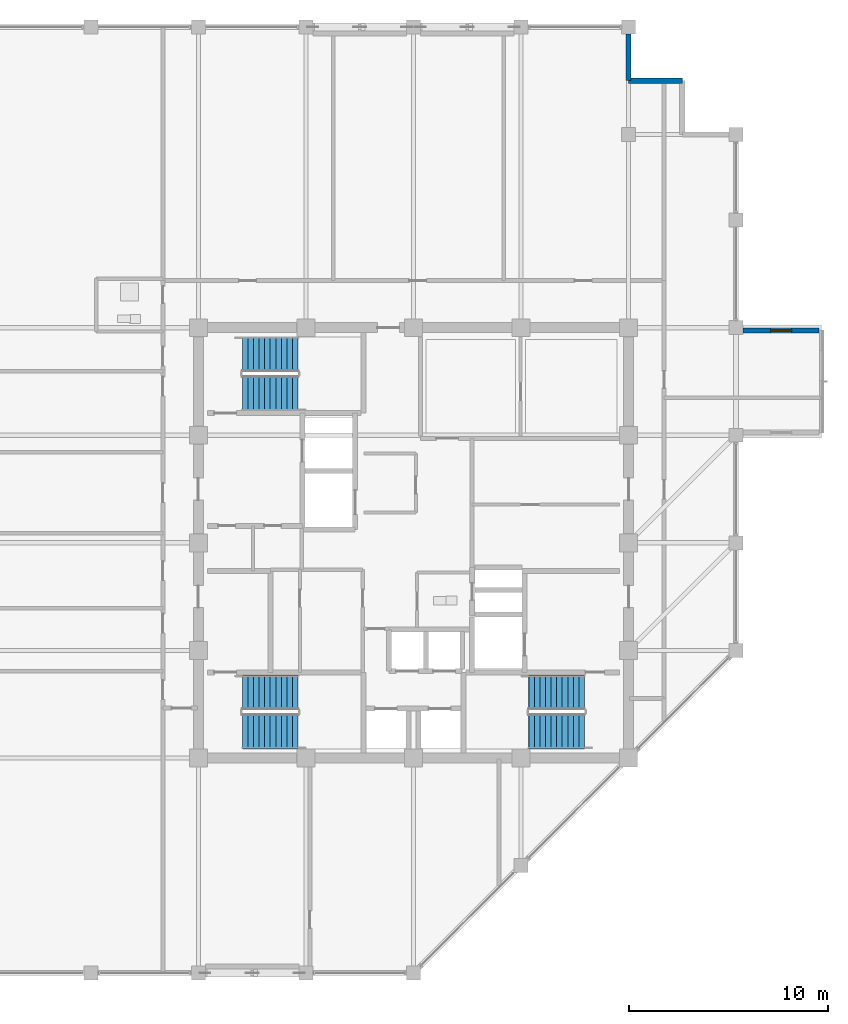
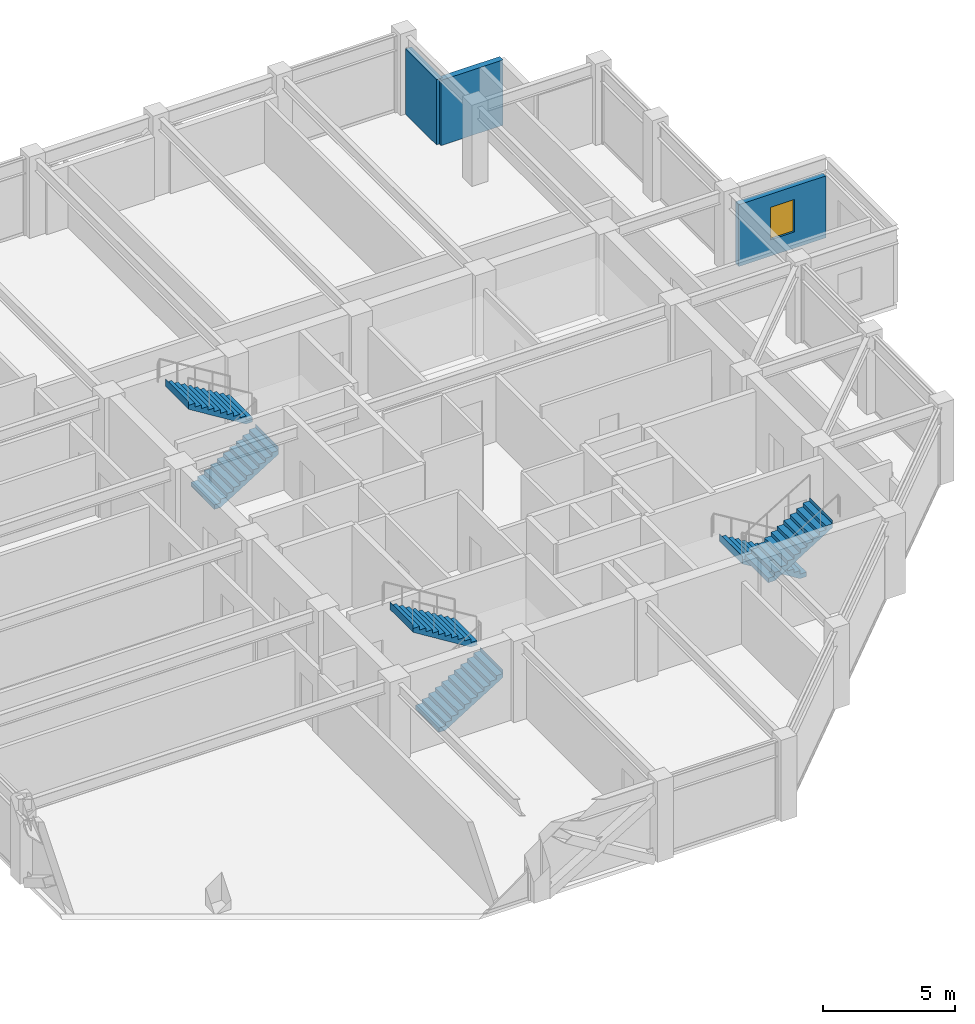
# One storey, part 28 of 31: 6 stair flights, 3 walls, 1 window, 1 opening, 3 elements without a shape of their own.
"""IFC4 building model written with IfcOpenShell, lengths in metres."""

from ifc_helpers import new_model, si_unit, direction, frame, frame_2d, origin, place, context, subcontext, project, spatial, polyline, rectangle, outline, extrude, material, layer, layer_set, type_object, element, fill, aggregate, save


model = new_model("IFC4")

# Units and contexts
model_context = context("Model", 3, precision=1e-05, world=origin(), true_north=direction((0.0, 1.0)))
body_context = subcontext(model_context, "Body", "Model", "MODEL_VIEW")
ifc_project = project(units=[si_unit("LENGTHUNIT", "METRE"), si_unit("AREAUNIT", "SQUARE_METRE"), si_unit("VOLUMEUNIT", "CUBIC_METRE"), si_unit("PLANEANGLEUNIT", "RADIAN"), si_unit("MASSUNIT", "GRAM", prefix="KILO")], contexts=[model_context])

# Site, building, storey
site_placement = place(None, origin())
site = spatial("IfcSite", under=ifc_project, at=site_placement, CompositionType="ELEMENT")
building_placement = place(site_placement, origin())
building = spatial("IfcBuilding", under=site, at=building_placement, Name="Surkhivell Harbour Commons", CompositionType="ELEMENT")
storey_placement = place(building_placement, frame((0.0, 0.0, 262.5)))
storey = spatial("IfcBuildingStorey", under=building, at=storey_placement, Name="L68", CompositionType="ELEMENT", Elevation=262.5)

# Walls
ifc_material_1 = material(Name="Pale-metal insulated precast concrete C45/55", Category="concrete")
ifc_layer_1 = layer(ifc_material_1, 0.260009765625)
ifc_layer_set_1 = layer_set([ifc_layer_1], Name="Pale-metal insulated precast concrete C45/55")
wall_type_1 = type_object("IfcWallType", Name="WAL-EXT-MTL260", PredefinedType="STANDARD", material=ifc_layer_set_1)
wall_1_placement = place(storey_placement, frame((13.5, 23.199951171875, 0.0), z_axis=(0.0, 0.0, 1.0), x_axis=(-1.0, 0.0, 0.0)))
element("IfcWall", 1, at=wall_1_placement, inside=storey, type_object=wall_type_1, Name="L68 Serrated Corner Facade Wall 05", PredefinedType="STANDARD", context=body_context, shape_type="SweptSolid", body=[
    extrude(rectangle(XDim=2.699951171875, YDim=0.260009765625, at=frame_2d((1.35009765625, 0.0))), origin(), (0.0, 0.0, 1.0), 3.012939453125),
])
wall_2_placement = place(storey_placement, frame((10.800048828125, 23.199951171875, 0.0), z_axis=(0.0, 0.0, 1.0), x_axis=(0.0, 1.0, 0.0)))
element("IfcWall", 2, at=wall_2_placement, inside=storey, type_object=wall_type_1, Name="L68 Serrated Corner Facade Wall 06", PredefinedType="STANDARD", context=body_context, shape_type="SweptSolid", body=[
    extrude(rectangle(XDim=2.35205078125, YDim=0.260009765625, at=frame_2d((1.176025390625, 0.0))), origin(), (0.0, 0.0, 1.0), 3.012939453125),
])

# Wall, opening, window
ifc_material_2 = material(Name="Bronze-ochre cassette precast concrete C45/55", Category="concrete")
ifc_layer_2 = layer(ifc_material_2, 0.239990234375)
ifc_layer_set_2 = layer_set([ifc_layer_2], Name="Bronze-ochre cassette precast concrete C45/55")
wall_type_2 = type_object("IfcWallType", Name="WAL-EXT-OCH240", PredefinedType="STANDARD", material=ifc_layer_set_2)
wall_3_placement = place(storey_placement, frame((16.553955078125, 10.659912109375, 0.0), z_axis=(0.0, 0.0, 1.0), x_axis=(1.0, 0.0, 0.0)))
wall_3 = element("IfcWall", 3, at=wall_3_placement, inside=storey, type_object=wall_type_2, Name="L68 Coloured Box Return Wall 01N", PredefinedType="STANDARD", context=body_context, shape_type="SweptSolid", body=[
    extrude(rectangle(XDim=3.80615234375, YDim=0.239990234375, at=frame_2d((1.903076171875, 0.0))), origin(), (0.0, 0.0, 1.0), 2.85693359375),
])
opening_placement = place(wall_3_placement, frame((1.3779296875, 0.0, 0.75)))
opening = element("IfcOpeningElement", 4, at=opening_placement, cuts=wall_3, Name="Opening WN-11", PredefinedType="OPENING", context=body_context, shape_type="SweptSolid", body=[
    extrude(rectangle(XDim=1.050048828125, YDim=1.5, at=frame_2d((0.52490234375, 0.75))), frame((0.0, 0.1298828125, 0.0), z_axis=(0.0, -1.0, 0.0), x_axis=(1.0, 0.0, 0.0)), (0.0, 0.0, 1.0), 0.260009765625),
])
ifc_material_3 = material(Name="Thermal-break aluminium frame and double low-E glazing", Category="aluminium")
window_type = type_object("IfcWindowType", Name="WIN-SER-1050x1500", PartitioningType="SINGLE_PANEL", PredefinedType="WINDOW", material=ifc_material_3)
window_placement = place(opening_placement, origin())
window = element("IfcWindow", 5, at=window_placement, inside=storey, type_object=window_type, Name="L68 Coloured Box Return Window 01N", OverallHeight=1.5, OverallWidth=1.050048828125, PartitioningType="SINGLE_PANEL", PredefinedType="WINDOW", context=body_context, shape_type="SweptSolid", body=[
    extrude(rectangle(XDim=1.050048828125, YDim=1.5, at=frame_2d((0.52490234375, 0.75))), frame((0.0, 0.030029296875, 0.0), z_axis=(0.0, -1.0, 0.0), x_axis=(1.0, 0.0, 0.0)), (0.0, 0.0, 1.0), 0.06005859375),
])
fill(opening, window)

# Stair, stair flights
ifc_material_4 = material(Name="Precast concrete C45/55", Category="concrete")
stair_type = type_object("IfcStairType", Name="STR-DL-375", PredefinedType="HALF_TURN_STAIR", material=ifc_material_4)
stair_1_placement = place(storey_placement, origin())
stair_1 = element("IfcStair", 6, at=stair_1_placement, inside=storey, type_object=stair_type, Name="L68 Core Exit Stair ST1", PredefinedType="HALF_TURN_STAIR")
stair_flight_type = type_object("IfcStairFlightType", Name="STF-DL-375", PredefinedType="STRAIGHT", material=ifc_material_4)
stair_flight_1_placement = place(storey_placement, frame((-8.590087890625, 7.514892578125, 0.0), z_axis=(0.0, 0.0, 1.0), x_axis=(1.0, 0.0, 0.0)))
stair_flight_1 = element("IfcStairFlight", 7, at=stair_flight_1_placement, type_object=stair_flight_type, Name="ST1 flight 1", NumberOfRisers=11, NumberOfTreads=10, PredefinedType="STRAIGHT", RiserHeight=0.170454545, TreadLength=0.28, context=body_context, shape_type="SweptSolid", body=[
    extrude(outline(polyline([(-0.0029296875, -0.034912109375), (-0.0029296875, 0.0), (0.0, 0.0), (0.0, 0.17041015625), (0.280029296875, 0.17041015625), (0.280029296875, 0.3408203125), (0.56005859375, 0.3408203125), (0.56005859375, 0.511474609375), (0.840087890625, 0.511474609375), (0.840087890625, 0.681884765625), (1.1201171875, 0.681884765625), (1.1201171875, 0.852294921875), (1.39990234375, 0.852294921875), (1.39990234375, 1.022705078125), (1.679931640625, 1.022705078125), (1.679931640625, 1.193115234375), (1.9599609375, 1.193115234375), (1.9599609375, 1.363525390625), (2.239990234375, 1.363525390625), (2.239990234375, 1.5341796875), (2.52001953125, 1.5341796875), (2.52001953125, 1.70458984375), (2.800048828125, 1.70458984375), (2.800048828125, 1.875), (2.802978515625, 1.875), (2.802978515625, 1.529052734375), (0.288330078125, -0.034912109375), (-0.0029296875, -0.034912109375)])), frame((0.0, 0.875, 0.0), z_axis=(0.0, -1.0, 0.0), x_axis=(1.0, 0.0, 0.0)), (0.0, 0.0, 1.0), 1.75),
])
stair_flight_2_placement = place(storey_placement, frame((-5.7900390625, 9.465087890625, 1.875), z_axis=(0.0, 0.0, 1.0), x_axis=(-1.0, 0.0, 0.0)))
stair_flight_2 = element("IfcStairFlight", 8, at=stair_flight_2_placement, type_object=stair_flight_type, Name="ST1 flight 2", NumberOfRisers=11, NumberOfTreads=10, PredefinedType="STRAIGHT", RiserHeight=0.170454545, TreadLength=0.28, context=body_context, shape_type="SweptSolid", body=[
    extrude(outline(polyline([(-0.0029296875, -0.034912109375), (-0.0029296875, 0.0), (0.0, 0.0), (0.0, 0.17041015625), (0.280029296875, 0.17041015625), (0.280029296875, 0.3408203125), (0.56005859375, 0.3408203125), (0.56005859375, 0.511474609375), (0.840087890625, 0.511474609375), (0.840087890625, 0.681884765625), (1.1201171875, 0.681884765625), (1.1201171875, 0.852294921875), (1.39990234375, 0.852294921875), (1.39990234375, 1.022705078125), (1.679931640625, 1.022705078125), (1.679931640625, 1.193115234375), (1.9599609375, 1.193115234375), (1.9599609375, 1.363525390625), (2.239990234375, 1.363525390625), (2.239990234375, 1.5341796875), (2.52001953125, 1.5341796875), (2.52001953125, 1.70458984375), (2.800048828125, 1.70458984375), (2.800048828125, 1.875), (2.802978515625, 1.875), (2.802978515625, 1.529052734375), (0.288330078125, -0.034912109375), (-0.0029296875, -0.034912109375)])), frame((0.0, 0.875, 0.0), z_axis=(0.0, -1.0, 0.0), x_axis=(1.0, 0.0, 0.0)), (0.0, 0.0, 1.0), 1.75),
])
aggregate(stair_1, [stair_flight_1, stair_flight_2])

stair_2_placement = place(storey_placement, origin())
stair_2 = element("IfcStair", 9, at=stair_2_placement, inside=storey, type_object=stair_type, Name="L68 Core Exit Stair ST2", PredefinedType="HALF_TURN_STAIR")
stair_flight_3_placement = place(storey_placement, frame((8.590087890625, -7.514892578125, 0.0), z_axis=(0.0, 0.0, 1.0), x_axis=(-1.0, 0.0, 0.0)))
stair_flight_3 = element("IfcStairFlight", 10, at=stair_flight_3_placement, type_object=stair_flight_type, Name="ST2 flight 1", NumberOfRisers=11, NumberOfTreads=10, PredefinedType="STRAIGHT", RiserHeight=0.170454545, TreadLength=0.28, context=body_context, shape_type="SweptSolid", body=[
    extrude(outline(polyline([(-0.0029296875, -0.034912109375), (-0.0029296875, 0.0), (0.0, 0.0), (0.0, 0.17041015625), (0.280029296875, 0.17041015625), (0.280029296875, 0.3408203125), (0.56005859375, 0.3408203125), (0.56005859375, 0.511474609375), (0.840087890625, 0.511474609375), (0.840087890625, 0.681884765625), (1.1201171875, 0.681884765625), (1.1201171875, 0.852294921875), (1.39990234375, 0.852294921875), (1.39990234375, 1.022705078125), (1.679931640625, 1.022705078125), (1.679931640625, 1.193115234375), (1.9599609375, 1.193115234375), (1.9599609375, 1.363525390625), (2.239990234375, 1.363525390625), (2.239990234375, 1.5341796875), (2.52001953125, 1.5341796875), (2.52001953125, 1.70458984375), (2.800048828125, 1.70458984375), (2.800048828125, 1.875), (2.802978515625, 1.875), (2.802978515625, 1.529052734375), (0.288330078125, -0.034912109375), (-0.0029296875, -0.034912109375)])), frame((0.0, 0.875, 0.0), z_axis=(0.0, -1.0, 0.0), x_axis=(1.0, 0.0, 0.0)), (0.0, 0.0, 1.0), 1.75),
])
stair_flight_4_placement = place(storey_placement, frame((5.7900390625, -9.465087890625, 1.875), z_axis=(0.0, 0.0, 1.0), x_axis=(1.0, 0.0, 0.0)))
stair_flight_4 = element("IfcStairFlight", 11, at=stair_flight_4_placement, type_object=stair_flight_type, Name="ST2 flight 2", NumberOfRisers=11, NumberOfTreads=10, PredefinedType="STRAIGHT", RiserHeight=0.170454545, TreadLength=0.28, context=body_context, shape_type="SweptSolid", body=[
    extrude(outline(polyline([(-0.0029296875, -0.034912109375), (-0.0029296875, 0.0), (0.0, 0.0), (0.0, 0.17041015625), (0.280029296875, 0.17041015625), (0.280029296875, 0.3408203125), (0.56005859375, 0.3408203125), (0.56005859375, 0.511474609375), (0.840087890625, 0.511474609375), (0.840087890625, 0.681884765625), (1.1201171875, 0.681884765625), (1.1201171875, 0.852294921875), (1.39990234375, 0.852294921875), (1.39990234375, 1.022705078125), (1.679931640625, 1.022705078125), (1.679931640625, 1.193115234375), (1.9599609375, 1.193115234375), (1.9599609375, 1.363525390625), (2.239990234375, 1.363525390625), (2.239990234375, 1.5341796875), (2.52001953125, 1.5341796875), (2.52001953125, 1.70458984375), (2.800048828125, 1.70458984375), (2.800048828125, 1.875), (2.802978515625, 1.875), (2.802978515625, 1.529052734375), (0.288330078125, -0.034912109375), (-0.0029296875, -0.034912109375)])), frame((0.0, 0.875, 0.0), z_axis=(0.0, -1.0, 0.0), x_axis=(1.0, 0.0, 0.0)), (0.0, 0.0, 1.0), 1.75),
])
aggregate(stair_2, [stair_flight_3, stair_flight_4])

stair_3_placement = place(storey_placement, origin())
stair_3 = element("IfcStair", 12, at=stair_3_placement, inside=storey, type_object=stair_type, Name="L68 Core Exit Stair ST3", PredefinedType="HALF_TURN_STAIR")
stair_flight_5_placement = place(storey_placement, frame((-8.590087890625, -9.465087890625, 0.0), z_axis=(0.0, 0.0, 1.0), x_axis=(1.0, 0.0, 0.0)))
stair_flight_5 = element("IfcStairFlight", 13, at=stair_flight_5_placement, type_object=stair_flight_type, Name="ST3 flight 1", NumberOfRisers=11, NumberOfTreads=10, PredefinedType="STRAIGHT", RiserHeight=0.170454545, TreadLength=0.28, context=body_context, shape_type="SweptSolid", body=[
    extrude(outline(polyline([(-0.0029296875, -0.034912109375), (-0.0029296875, 0.0), (0.0, 0.0), (0.0, 0.17041015625), (0.280029296875, 0.17041015625), (0.280029296875, 0.3408203125), (0.56005859375, 0.3408203125), (0.56005859375, 0.511474609375), (0.840087890625, 0.511474609375), (0.840087890625, 0.681884765625), (1.1201171875, 0.681884765625), (1.1201171875, 0.852294921875), (1.39990234375, 0.852294921875), (1.39990234375, 1.022705078125), (1.679931640625, 1.022705078125), (1.679931640625, 1.193115234375), (1.9599609375, 1.193115234375), (1.9599609375, 1.363525390625), (2.239990234375, 1.363525390625), (2.239990234375, 1.5341796875), (2.52001953125, 1.5341796875), (2.52001953125, 1.70458984375), (2.800048828125, 1.70458984375), (2.800048828125, 1.875), (2.802978515625, 1.875), (2.802978515625, 1.529052734375), (0.288330078125, -0.034912109375), (-0.0029296875, -0.034912109375)])), frame((0.0, 0.875, 0.0), z_axis=(0.0, -1.0, 0.0), x_axis=(1.0, 0.0, 0.0)), (0.0, 0.0, 1.0), 1.75),
])
stair_flight_6_placement = place(storey_placement, frame((-5.7900390625, -7.514892578125, 1.875), z_axis=(0.0, 0.0, 1.0), x_axis=(-1.0, 0.0, 0.0)))
stair_flight_6 = element("IfcStairFlight", 14, at=stair_flight_6_placement, type_object=stair_flight_type, Name="ST3 flight 2", NumberOfRisers=11, NumberOfTreads=10, PredefinedType="STRAIGHT", RiserHeight=0.170454545, TreadLength=0.28, context=body_context, shape_type="SweptSolid", body=[
    extrude(outline(polyline([(-0.0029296875, -0.034912109375), (-0.0029296875, 0.0), (0.0, 0.0), (0.0, 0.17041015625), (0.280029296875, 0.17041015625), (0.280029296875, 0.3408203125), (0.56005859375, 0.3408203125), (0.56005859375, 0.511474609375), (0.840087890625, 0.511474609375), (0.840087890625, 0.681884765625), (1.1201171875, 0.681884765625), (1.1201171875, 0.852294921875), (1.39990234375, 0.852294921875), (1.39990234375, 1.022705078125), (1.679931640625, 1.022705078125), (1.679931640625, 1.193115234375), (1.9599609375, 1.193115234375), (1.9599609375, 1.363525390625), (2.239990234375, 1.363525390625), (2.239990234375, 1.5341796875), (2.52001953125, 1.5341796875), (2.52001953125, 1.70458984375), (2.800048828125, 1.70458984375), (2.800048828125, 1.875), (2.802978515625, 1.875), (2.802978515625, 1.529052734375), (0.288330078125, -0.034912109375), (-0.0029296875, -0.034912109375)])), frame((0.0, 0.875, 0.0), z_axis=(0.0, -1.0, 0.0), x_axis=(1.0, 0.0, 0.0)), (0.0, 0.0, 1.0), 1.75),
])
aggregate(stair_3, [stair_flight_5, stair_flight_6])

save(model, "model.ifc")
